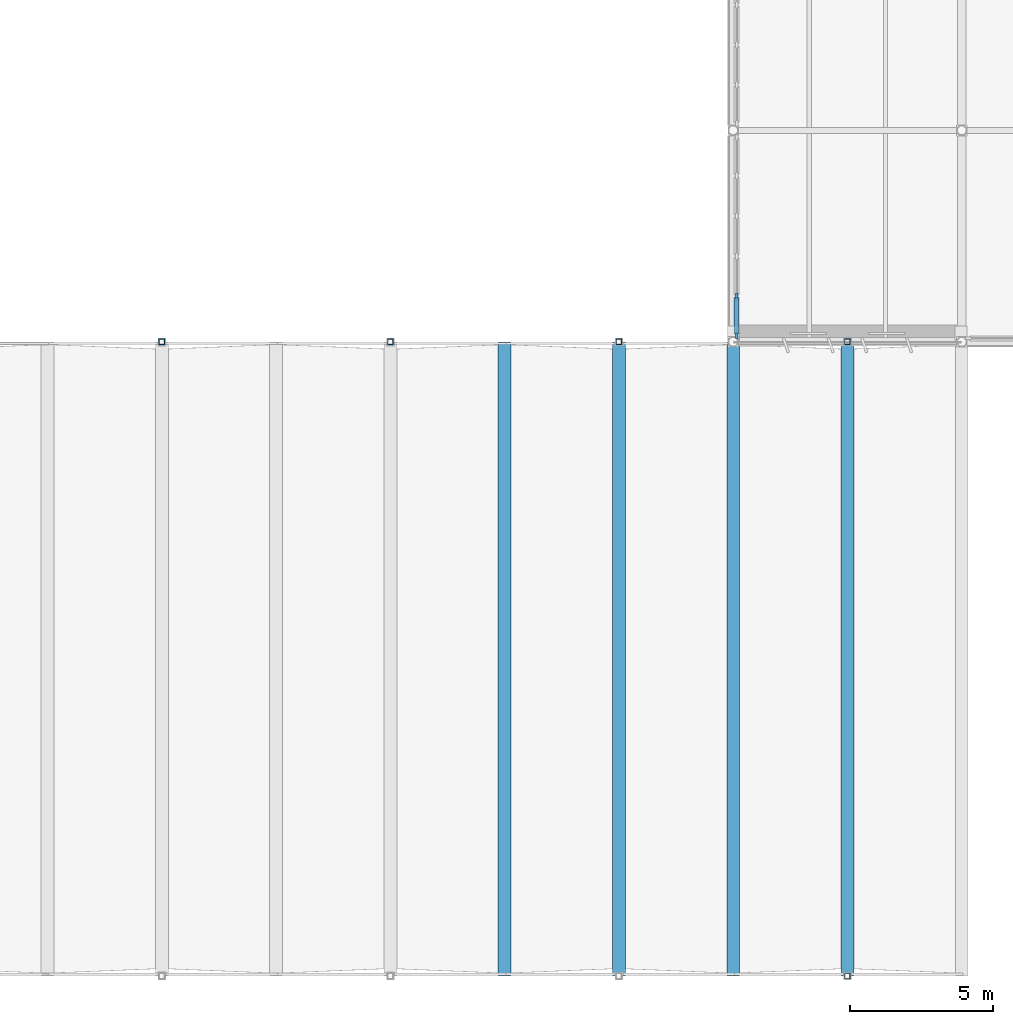
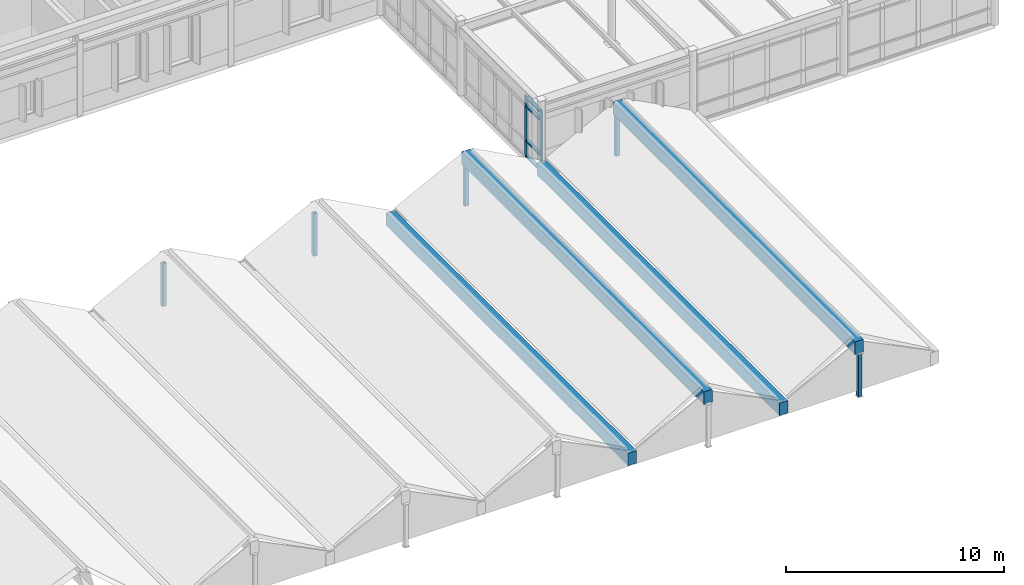
# One storey, part 14 of 63: 11 members, 4 beams, 1 element without a shape of its own.
"""IFC4 building model written with IfcOpenShell, lengths in metres."""

from ifc_helpers import new_model, si_unit, direction, frame, origin, origin_2d, place, context, subcontext, project, spatial, rectangle, hollow_rectangle, extrude, material, layer, layer_set, material_profile, profile_set, type_object, element, aggregate, save


model = new_model("IFC4")

# Units and contexts
model_context = context("Model", 3, precision=1e-05, world=origin(), true_north=direction((0.0, 1.0)))
body_context = subcontext(model_context, "Body", "Model", "MODEL_VIEW")
ifc_project = project(units=[si_unit("LENGTHUNIT", "METRE"), si_unit("AREAUNIT", "SQUARE_METRE"), si_unit("VOLUMEUNIT", "CUBIC_METRE"), si_unit("PLANEANGLEUNIT", "RADIAN"), si_unit("MASSUNIT", "GRAM", prefix="KILO")], contexts=[model_context])

# Site, building, storey
site_placement = place(None, origin())
site = spatial("IfcSite", under=ifc_project, at=site_placement, CompositionType="ELEMENT")
building_placement = place(site_placement, origin())
building = spatial("IfcBuilding", under=site, at=building_placement, Name="Valkorina Park Police Headquarters", CompositionType="ELEMENT")
storey_placement = place(building_placement, frame((0.0, 0.0, 9.89990234375)))
storey = spatial("IfcBuildingStorey", under=building, at=storey_placement, Name="L03", CompositionType="ELEMENT", Elevation=9.89990234375)

# Beams
ifc_material_1 = material(Name="Concrete C40/50", Category="concrete")
ifc_material_profile_1 = material_profile(ifc_material_1, rectangle(XDim=0.449951171875, YDim=0.699951171875, at=origin_2d()), Name="RC RIDGE 450x700")
ifc_profile_set_1 = profile_set([ifc_material_profile_1], Name="Concrete C40/50")
beam_type = type_object("IfcBeamType", Name="BM-RC-RIDGE-EXT", PredefinedType="BEAM", material=ifc_profile_set_1)
for number, where, z_axis, x_axis, name in (
    (1, (52.800048828125, 0.0, 2.37060546875), (0.0, 1.0, 0.0), (-1.0, 0.0, 0.0), "V1 Folded-Plate Ridge Beam 6"),
    (2, (48.800048828125, 0.0, 0.35009765625), (0.0, 1.0, 0.0), (-1.0, 0.0, 0.0), "V1 Folded-Plate Valley Beam 6.1"),
    (3, (60.800048828125, 0.0, 2.37060546875), (0.0, 1.0, 0.0), (-1.0, 0.0, 0.0), "V1 Folded-Plate Ridge Beam 7"),
    (4, (56.800048828125, 0.0, 0.35009765625), (0.0, 1.0, 0.0), (-1.0, 0.0, 0.0), "V1 Folded-Plate Valley Beam 7.1"),
):
    element("IfcBeam", number, at=place(storey_placement, frame(where, z_axis=z_axis, x_axis=x_axis)), inside=storey, type_object=beam_type, Name=name, PredefinedType="BEAM", context=body_context, shape_type="SweptSolid", body=[
        extrude(rectangle(XDim=0.449951171875, YDim=0.699951171875, at=origin_2d()), origin(), (0.0, 0.0, 1.0), 22.199951171875),
    ])

# Curtain wall, members
ifc_material_2 = material(Name="Thermally broken aluminium AW-6060", Category="aluminium")
ifc_layer = layer(ifc_material_2, 0.18994140625)
ifc_layer_set = layer_set([ifc_layer], Name="Thermally broken aluminium AW-6060")
curtain_wall_type = type_object("IfcCurtainWallType", Name="CW-V4-7020x3360", PredefinedType="NOTDEFINED", material=ifc_layer_set)
curtain_wall_placement = place(storey_placement, origin())
curtain_wall = element("IfcCurtainWall", 5, at=curtain_wall_placement, inside=storey, type_object=curtain_wall_type, Name="L03 Unitised Curtain Wall 028", PredefinedType="NOTDEFINED")
ifc_material_profile_2 = material_profile(ifc_material_2, rectangle(XDim=0.080078125, YDim=0.219970703125, at=origin_2d()), Name="CWM-03 80x220")
ifc_profile_set_2 = profile_set([ifc_material_profile_2], Name="Thermally broken aluminium AW-6060")
member_type_1 = type_object("IfcMemberType", Name="CWM-80x220", PredefinedType="MULLION", material=ifc_profile_set_2)
member_1_placement = place(storey_placement, frame((56.919921875, 22.427734375, 0.0), z_axis=(0.0, 0.0, 1.0), x_axis=(-1.0, 0.0, 0.0)))
member_1 = element("IfcMember", 6, at=member_1_placement, type_object=member_type_1, Name="CW-V4-702-336 mullion 1", PredefinedType="MULLION", context=body_context, shape_type="SweptSolid", body=[
    extrude(rectangle(XDim=0.080078125, YDim=0.219970703125, at=origin_2d()), origin(), (0.0, 0.0, 1.0), 3.360107421875),
])
member_2_placement = place(storey_placement, frame((56.919921875, 23.792724609375, 0.0), z_axis=(0.0, 0.0, 1.0), x_axis=(-1.0, 0.0, 0.0)))
member_2 = element("IfcMember", 7, at=member_2_placement, type_object=member_type_1, Name="CW-V4-702-336 mullion 2", PredefinedType="MULLION", context=body_context, shape_type="SweptSolid", body=[
    extrude(rectangle(XDim=0.080078125, YDim=0.219970703125, at=origin_2d()), origin(), (0.0, 0.0, 1.0), 3.360107421875),
])
ifc_material_profile_3 = material_profile(ifc_material_2, rectangle(XDim=0.179931640625, YDim=0.080078125, at=origin_2d()), Name="CWT-03 180x80")
ifc_profile_set_3 = profile_set([ifc_material_profile_3], Name="Thermally broken aluminium AW-6060")
member_type_2 = type_object("IfcMemberType", Name="CWT-180x80", PredefinedType="USERDEFINED", material=ifc_profile_set_3)
member_3_placement = place(storey_placement, frame((56.919921875, 22.4677734375, 0.0400390625), z_axis=(0.0, 1.0, 0.0), x_axis=(-1.0, 0.0, 0.0)))
member_3 = element("IfcMember", 8, at=member_3_placement, type_object=member_type_2, Name="CW-V4-702-336 transom 1.1", ObjectType="TRANSOM", PredefinedType="USERDEFINED", context=body_context, shape_type="SweptSolid", body=[
    extrude(rectangle(XDim=0.179931640625, YDim=0.080078125, at=origin_2d()), origin(), (0.0, 0.0, 1.0), 1.284912109375),
])
member_4_placement = place(storey_placement, frame((56.919921875, 22.4677734375, 0.900146484375), z_axis=(0.0, 1.0, 0.0), x_axis=(-1.0, 0.0, 0.0)))
member_4 = element("IfcMember", 9, at=member_4_placement, type_object=member_type_2, Name="CW-V4-702-336 transom 1.2", ObjectType="TRANSOM", PredefinedType="USERDEFINED", context=body_context, shape_type="SweptSolid", body=[
    extrude(rectangle(XDim=0.179931640625, YDim=0.080078125, at=origin_2d()), origin(), (0.0, 0.0, 1.0), 1.284912109375),
])
member_5_placement = place(storey_placement, frame((56.919921875, 22.4677734375, 2.840087890625), z_axis=(0.0, 1.0, 0.0), x_axis=(-1.0, 0.0, 0.0)))
member_5 = element("IfcMember", 10, at=member_5_placement, type_object=member_type_2, Name="CW-V4-702-336 transom 1.3", ObjectType="TRANSOM", PredefinedType="USERDEFINED", context=body_context, shape_type="SweptSolid", body=[
    extrude(rectangle(XDim=0.179931640625, YDim=0.080078125, at=origin_2d()), origin(), (0.0, 0.0, 1.0), 1.284912109375),
])
member_6_placement = place(storey_placement, frame((56.919921875, 22.4677734375, 3.320068359375), z_axis=(0.0, 1.0, 0.0), x_axis=(-1.0, 0.0, 0.0)))
member_6 = element("IfcMember", 11, at=member_6_placement, type_object=member_type_2, Name="CW-V4-702-336 transom 1.4", ObjectType="TRANSOM", PredefinedType="USERDEFINED", context=body_context, shape_type="SweptSolid", body=[
    extrude(rectangle(XDim=0.179931640625, YDim=0.080078125, at=origin_2d()), origin(), (0.0, 0.0, 1.0), 1.284912109375),
])
aggregate(curtain_wall, [member_1, member_2, member_3, member_4, member_5, member_6])

# Members
ifc_material_3 = material(Name="Steel S355", Category="steel")
ifc_material_profile_4 = material_profile(ifc_material_3, hollow_rectangle(XDim=0.199951171875, YDim=0.199951171875, WallThickness=0.012451171875, at=origin_2d()), Name="SHS 200x200x12.5")
ifc_profile_set_4 = profile_set([ifc_material_profile_4], Name="Steel S355")
member_type_3 = type_object("IfcMemberType", Name="MB-S355-SHS200-GABLE", PredefinedType="BRACE", material=ifc_profile_set_4)
for number, where, z_axis, x_axis, name in (
    (12, (36.800048828125, 22.199951171875, -0.349853515625), (0.0, 0.0, 1.0), (1.0, 0.0, 0.0), "V1 Gable Ridge Strut 4N"),
    (13, (44.800048828125, 22.199951171875, -0.349853515625), (0.0, 0.0, 1.0), (1.0, 0.0, 0.0), "V1 Gable Ridge Strut 5N"),
    (14, (52.800048828125, 22.199951171875, -0.349853515625), (0.0, 0.0, 1.0), (1.0, 0.0, 0.0), "V1 Gable Ridge Strut 6N"),
    (15, (60.800048828125, 0.0, -0.349853515625), (0.0, 0.0, 1.0), (1.0, 0.0, 0.0), "V1 Gable Ridge Strut 7S"),
    (16, (60.800048828125, 22.199951171875, -0.349853515625), (0.0, 0.0, 1.0), (1.0, 0.0, 0.0), "V1 Gable Ridge Strut 7N"),
):
    element("IfcMember", number, at=place(storey_placement, frame(where, z_axis=z_axis, x_axis=x_axis)), inside=storey, type_object=member_type_3, Name=name, PredefinedType="BRACE", context=body_context, shape_type="SweptSolid", body=[
        extrude(hollow_rectangle(XDim=0.199951171875, YDim=0.199951171875, WallThickness=0.012451171875, at=origin_2d()), origin(), (0.0, 0.0, 1.0), 2.390380859375),
    ])

save(model, "model.ifc")
